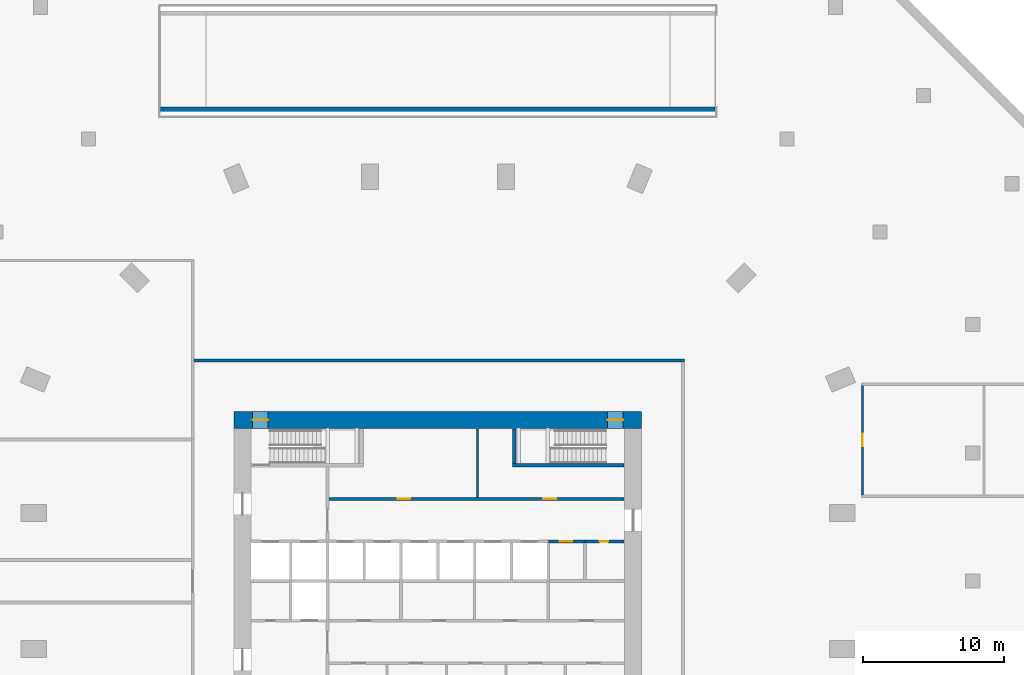
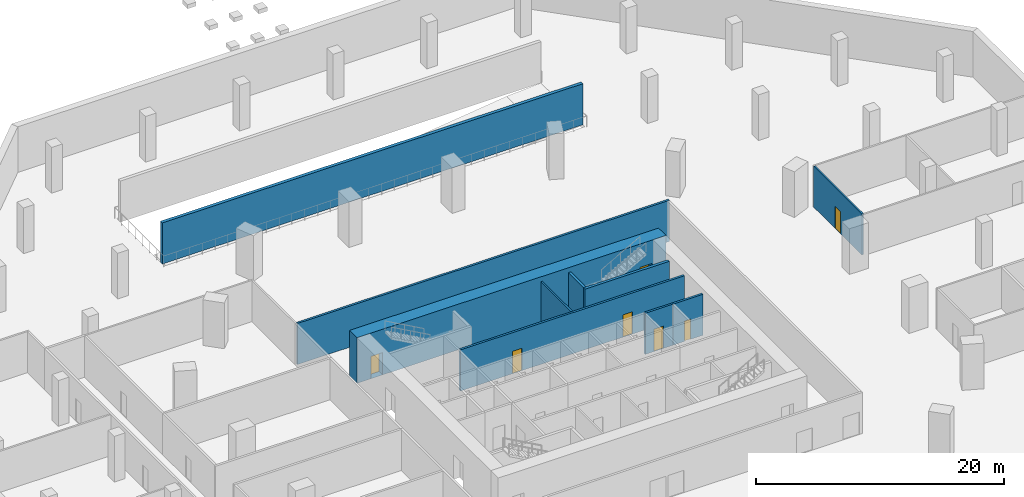
# One storey, part 8 of 11: 10 walls, 7 doors, 7 openings.
"""IFC4 building model written with IfcOpenShell, lengths in metres."""

from ifc_helpers import new_model, si_unit, direction, frame, frame_2d, origin, place, context, subcontext, project, spatial, rectangle, extrude, material, layer, layer_set, type_object, element, fill, save


model = new_model("IFC4")

# Units and contexts
model_context = context("Model", 3, precision=1e-05, world=origin(), true_north=direction((0.0, 1.0)))
body_context = subcontext(model_context, "Body", "Model", "MODEL_VIEW")
ifc_project = project(units=[si_unit("LENGTHUNIT", "METRE"), si_unit("AREAUNIT", "SQUARE_METRE"), si_unit("VOLUMEUNIT", "CUBIC_METRE"), si_unit("PLANEANGLEUNIT", "RADIAN"), si_unit("MASSUNIT", "GRAM", prefix="KILO")], contexts=[model_context])

# Site, building, storey
site_placement = place(None, origin())
site = spatial("IfcSite", under=ifc_project, at=site_placement, CompositionType="ELEMENT")
building_placement = place(site_placement, origin())
building = spatial("IfcBuilding", under=site, at=building_placement, Name="Msitu Wima Residences", CompositionType="ELEMENT")
storey_placement = place(building_placement, frame((0.0, 0.0, -4.5)))
storey = spatial("IfcBuildingStorey", under=building, at=storey_placement, Name="B1", CompositionType="ELEMENT", Elevation=-4.5)

# Wall, openings, doors
ifc_material_1 = material(Name="Concrete C80/95", Category="concrete")
ifc_layer_1 = layer(ifc_material_1, 1.199951171875)
ifc_layer_set_1 = layer_set([ifc_layer_1], Name="Concrete C80/95")
wall_type_1 = type_object("IfcWallType", Name="Core wall CW1200 C80/95", PredefinedType="SHEAR", material=ifc_layer_set_1)
wall_1_placement = place(storey_placement, frame((-14.39990234375, 11.39990234375, 0.0), z_axis=(0.0, 0.0, 1.0), x_axis=(1.0, 0.0, 0.0)))
wall_1 = element("IfcWall", 1, at=wall_1_placement, inside=storey, type_object=wall_type_1, Name="Core wall", PredefinedType="SHEAR", context=body_context, shape_type="SweptSolid", body=[
    extrude(rectangle(XDim=28.7998046875, YDim=1.199951171875, at=frame_2d((14.39990234375, 0.0))), origin(), (0.0, 0.0, 1.0), 4.5),
])
opening_1_placement = place(wall_1_placement, frame((1.300048828125, 0.0, 0.0)))
opening_1 = element("IfcOpeningElement", 2, at=opening_1_placement, cuts=wall_1, Name="Opening DB1.040", PredefinedType="OPENING", context=body_context, shape_type="SweptSolid", body=[
    extrude(rectangle(XDim=1.10009765625, YDim=2.199951171875, at=frame_2d((0.550048828125, 1.10009765625))), frame((0.0, 0.60986328125, 0.0), z_axis=(0.0, -1.0, 0.0), x_axis=(1.0, 0.0, 0.0)), (0.0, 0.0, 1.0), 1.219970703125),
])
opening_2_placement = place(wall_1_placement, frame((26.39990234375, 0.0, 0.0)))
opening_2 = element("IfcOpeningElement", 3, at=opening_2_placement, cuts=wall_1, Name="Opening DB1.042", PredefinedType="OPENING", context=body_context, shape_type="SweptSolid", body=[
    extrude(rectangle(XDim=1.10009765625, YDim=2.199951171875, at=frame_2d((0.550048828125, 1.10009765625))), frame((0.0, 0.60986328125, 0.0), z_axis=(0.0, -1.0, 0.0), x_axis=(1.0, 0.0, 0.0)), (0.0, 0.0, 1.0), 1.219970703125),
])
ifc_material_2 = material(Name="Steel door, fire resisting, panic bar", Category="steel")
door_type_1 = type_object("IfcDoorType", Name="Stair door D06 1100x2200", OperationType="SINGLE_SWING_LEFT", PredefinedType="DOOR", material=ifc_material_2)
door_1_placement = place(opening_1_placement, origin())
door_1 = element("IfcDoor", 4, at=door_1_placement, inside=storey, type_object=door_type_1, Name="Stair door", OperationType="SINGLE_SWING_RIGHT", OverallHeight=2.199951171875, OverallWidth=1.10009765625, PredefinedType="DOOR", context=body_context, shape_type="SweptSolid", body=[
    extrude(rectangle(XDim=1.10009765625, YDim=2.199951171875, at=frame_2d((0.550048828125, 1.10009765625))), frame((0.0, 0.02490234375, 0.0), z_axis=(0.0, -1.0, 0.0), x_axis=(1.0, 0.0, 0.0)), (0.0, 0.0, 1.0), 0.050048828125),
])
fill(opening_1, door_1)
door_2_placement = place(opening_2_placement, origin())
door_2 = element("IfcDoor", 5, at=door_2_placement, inside=storey, type_object=door_type_1, Name="Stair door", OperationType="SINGLE_SWING_LEFT", OverallHeight=2.199951171875, OverallWidth=1.10009765625, PredefinedType="DOOR", context=body_context, shape_type="SweptSolid", body=[
    extrude(rectangle(XDim=1.10009765625, YDim=2.199951171875, at=frame_2d((0.550048828125, 1.10009765625))), frame((0.0, 0.02490234375, 0.0), z_axis=(0.0, -1.0, 0.0), x_axis=(1.0, 0.0, 0.0)), (0.0, 0.0, 1.0), 0.050048828125),
])
fill(opening_2, door_2)

# Wall
ifc_material_3 = material(Name="Plaster")
ifc_layer_2 = layer(ifc_material_3, 0.011962890625, Name="Plaster")
ifc_material_4 = material(Name="Concrete blockwork", Category="masonry")
ifc_layer_3 = layer(ifc_material_4, 0.176025390625, Name="Concrete blockwork")
ifc_layer_4 = layer(ifc_material_3, 0.011962890625, Name="Plaster")
ifc_layer_set_2 = layer_set([ifc_layer_2, ifc_layer_3, ifc_layer_4], Name="Concrete blockwork")
wall_type_2 = type_object("IfcWallType", Name="Corridor wall FW200", PredefinedType="PARTITIONING", material=ifc_layer_set_2)
wall_2_placement = place(storey_placement, frame((-17.22802734375, 15.60009765625, 0.0), z_axis=(0.0, 0.0, 1.0), x_axis=(1.0, 0.0, 0.0)))
element("IfcWall", 6, at=wall_2_placement, inside=storey, type_object=wall_type_2, Name="Corridor wall", PredefinedType="PARTITIONING", context=body_context, shape_type="SweptSolid", body=[
    extrude(rectangle(XDim=34.656005859375, YDim=0.199951171875, at=frame_2d((17.328125, 0.0))), origin(), (0.0, 0.0, 1.0), 4.048095703125),
])

# Wall, openings, doors
wall_3_placement = place(storey_placement, frame((-7.699951171875, 5.800048828125, 0.0), z_axis=(0.0, 0.0, 1.0), x_axis=(1.0, 0.0, 0.0)))
wall_3 = element("IfcWall", 7, at=wall_3_placement, inside=storey, type_object=wall_type_2, Name="Corridor wall", PredefinedType="PARTITIONING", context=body_context, shape_type="SweptSolid", body=[
    extrude(rectangle(XDim=20.869873046875, YDim=0.199951171875, at=frame_2d((10.43505859375, 0.0))), origin(), (0.0, 0.0, 1.0), 4.048095703125),
])
opening_3_placement = place(wall_3_placement, frame((4.85009765625, 0.0, 0.0)))
opening_3 = element("IfcOpeningElement", 8, at=opening_3_placement, cuts=wall_3, Name="Opening DB1.004", PredefinedType="OPENING", context=body_context, shape_type="SweptSolid", body=[
    extrude(rectangle(XDim=0.89990234375, YDim=2.199951171875, at=frame_2d((0.449951171875, 1.10009765625))), frame((0.0, 0.10986328125, 0.0), z_axis=(0.0, -1.0, 0.0), x_axis=(1.0, 0.0, 0.0)), (0.0, 0.0, 1.0), 0.219970703125),
])
opening_4_placement = place(wall_3_placement, frame((15.14990234375, 0.0, 0.0)))
opening_4 = element("IfcOpeningElement", 9, at=opening_4_placement, cuts=wall_3, Name="Opening DB1.005", PredefinedType="OPENING", context=body_context, shape_type="SweptSolid", body=[
    extrude(rectangle(XDim=0.89990234375, YDim=2.199951171875, at=frame_2d((0.449951171875, 1.10009765625))), frame((0.0, 0.10986328125, 0.0), z_axis=(0.0, -1.0, 0.0), x_axis=(1.0, 0.0, 0.0)), (0.0, 0.0, 1.0), 0.219970703125),
])
ifc_material_5 = material(Name="Timber flush door", Category="wood")
door_type_2 = type_object("IfcDoorType", Name="Service door D05 900x2200", OperationType="SINGLE_SWING_LEFT", PredefinedType="DOOR", material=ifc_material_5)
door_3_placement = place(opening_3_placement, origin())
door_3 = element("IfcDoor", 10, at=door_3_placement, inside=storey, type_object=door_type_2, Name="Service door", OperationType="SINGLE_SWING_LEFT", OverallHeight=2.199951171875, OverallWidth=0.89990234375, PredefinedType="DOOR", context=body_context, shape_type="SweptSolid", body=[
    extrude(rectangle(XDim=0.89990234375, YDim=2.199951171875, at=frame_2d((0.449951171875, 1.10009765625))), frame((0.0, 0.02490234375, 0.0), z_axis=(0.0, -1.0, 0.0), x_axis=(1.0, 0.0, 0.0)), (0.0, 0.0, 1.0), 0.050048828125),
])
fill(opening_3, door_3)
door_4_placement = place(opening_4_placement, origin())
door_4 = element("IfcDoor", 11, at=door_4_placement, inside=storey, type_object=door_type_2, Name="Service door", OperationType="SINGLE_SWING_RIGHT", OverallHeight=2.199951171875, OverallWidth=0.89990234375, PredefinedType="DOOR", context=body_context, shape_type="SweptSolid", body=[
    extrude(rectangle(XDim=0.89990234375, YDim=2.199951171875, at=frame_2d((0.449951171875, 1.10009765625))), frame((0.0, 0.02490234375, 0.0), z_axis=(0.0, -1.0, 0.0), x_axis=(1.0, 0.0, 0.0)), (0.0, 0.0, 1.0), 0.050048828125),
])
fill(opening_4, door_4)

# Wall, opening, door
wall_4_placement = place(storey_placement, frame((7.800048828125, 2.800048828125, 0.0), z_axis=(0.0, 0.0, 1.0), x_axis=(1.0, 0.0, 0.0)))
wall_4 = element("IfcWall", 12, at=wall_4_placement, inside=storey, type_object=wall_type_2, Name="Corridor wall", PredefinedType="PARTITIONING", context=body_context, shape_type="SweptSolid", body=[
    extrude(rectangle(XDim=2.579833984375, YDim=0.199951171875, at=frame_2d((1.2900390625, 0.0))), origin(), (0.0, 0.0, 1.0), 4.048095703125),
])
opening_5_placement = place(wall_4_placement, frame((0.800048828125, 0.0, 0.0)))
opening_5 = element("IfcOpeningElement", 13, at=opening_5_placement, cuts=wall_4, Name="Opening DB1.011", PredefinedType="OPENING", context=body_context, shape_type="SweptSolid", body=[
    extrude(rectangle(XDim=0.89990234375, YDim=2.199951171875, at=frame_2d((0.449951171875, 1.10009765625))), frame((0.0, 0.10986328125, 0.0), z_axis=(0.0, -1.0, 0.0), x_axis=(1.0, 0.0, 0.0)), (0.0, 0.0, 1.0), 0.219970703125),
])
door_5_placement = place(opening_5_placement, origin())
door_5 = element("IfcDoor", 14, at=door_5_placement, inside=storey, type_object=door_type_2, Name="Service door", OperationType="SINGLE_SWING_RIGHT", OverallHeight=2.199951171875, OverallWidth=0.89990234375, PredefinedType="DOOR", context=body_context, shape_type="SweptSolid", body=[
    extrude(rectangle(XDim=0.89990234375, YDim=2.199951171875, at=frame_2d((0.449951171875, 1.10009765625))), frame((0.0, 0.02490234375, 0.0), z_axis=(0.0, -1.0, 0.0), x_axis=(1.0, 0.0, 0.0)), (0.0, 0.0, 1.0), 0.050048828125),
])
fill(opening_5, door_5)

# Wall
ifc_layer_5 = layer(ifc_material_3, 0.011962890625, Name="Plaster")
ifc_layer_6 = layer(ifc_material_4, 0.1259765625, Name="Concrete blockwork")
ifc_layer_7 = layer(ifc_material_3, 0.011962890625, Name="Plaster")
ifc_layer_set_3 = layer_set([ifc_layer_5, ifc_layer_6, ifc_layer_7], Name="Concrete blockwork")
wall_type_3 = type_object("IfcWallType", Name="Partition PW150", PredefinedType="PARTITIONING", material=ifc_layer_set_3)
wall_5_placement = place(storey_placement, frame((2.800048828125, 5.89990234375, 0.0), z_axis=(0.0, 0.0, 1.0), x_axis=(0.0, 1.0, 0.0)))
element("IfcWall", 15, at=wall_5_placement, inside=storey, type_object=wall_type_3, Name="Partition", PredefinedType="PARTITIONING", context=body_context, shape_type="SweptSolid", body=[
    extrude(rectangle(XDim=4.8701171875, YDim=0.14990234375, at=frame_2d((2.43505859375, 0.0))), origin(), (0.0, 0.0, 1.0), 4.048095703125),
])

# Wall, opening, door
wall_6_placement = place(storey_placement, frame((30.0, 6.074951171875, 0.0), z_axis=(0.0, 0.0, 1.0), x_axis=(0.0, 1.0, 0.0)))
wall_6 = element("IfcWall", 16, at=wall_6_placement, inside=storey, type_object=wall_type_3, Name="Partition", PredefinedType="PARTITIONING", context=body_context, shape_type="SweptSolid", body=[
    extrude(rectangle(XDim=7.763671875, YDim=0.14990234375, at=frame_2d((3.8818359375, 0.0))), origin(), (0.0, 0.0, 1.0), 4.048095703125),
])
opening_6_placement = place(wall_6_placement, frame((3.449951171875, 0.0, 0.0)))
opening_6 = element("IfcOpeningElement", 17, at=opening_6_placement, cuts=wall_6, Name="Opening DB1.033", PredefinedType="OPENING", context=body_context, shape_type="SweptSolid", body=[
    extrude(rectangle(XDim=0.89990234375, YDim=2.199951171875, at=frame_2d((0.449951171875, 1.10009765625))), frame((0.0, 0.0849609375, 0.0), z_axis=(0.0, -1.0, 0.0), x_axis=(1.0, 0.0, 0.0)), (0.0, 0.0, 1.0), 0.169921875),
])
door_6_placement = place(opening_6_placement, origin())
door_6 = element("IfcDoor", 18, at=door_6_placement, inside=storey, type_object=door_type_2, Name="Service door", OperationType="SINGLE_SWING_RIGHT", OverallHeight=2.199951171875, OverallWidth=0.89990234375, PredefinedType="DOOR", context=body_context, shape_type="SweptSolid", body=[
    extrude(rectangle(XDim=0.89990234375, YDim=2.199951171875, at=frame_2d((0.449951171875, 1.10009765625))), frame((0.0, 0.02490234375, 0.0), z_axis=(0.0, -1.0, 0.0), x_axis=(1.0, 0.0, 0.0)), (0.0, 0.0, 1.0), 0.050048828125),
])
fill(opening_6, door_6)

ifc_layer_8 = layer(ifc_material_3, 0.011962890625, Name="Plaster")
ifc_material_6 = material(Name="Reinforced concrete blockwork", Category="masonry")
ifc_layer_9 = layer(ifc_material_6, 0.176025390625, Name="Reinforced concrete blockwork")
ifc_layer_10 = layer(ifc_material_3, 0.011962890625, Name="Plaster")
ifc_layer_set_4 = layer_set([ifc_layer_8, ifc_layer_9, ifc_layer_10], Name="Reinforced concrete blockwork")
wall_type_4 = type_object("IfcWallType", Name="Plant and riser wall PL200", PredefinedType="PARTITIONING", material=ifc_layer_set_4)
wall_7_placement = place(storey_placement, frame((10.3798828125, 2.800048828125, 0.0), z_axis=(0.0, 0.0, 1.0), x_axis=(1.0, 0.0, 0.0)))
wall_7 = element("IfcWall", 19, at=wall_7_placement, inside=storey, type_object=wall_type_4, Name="Plant and riser wall", PredefinedType="PARTITIONING", context=body_context, shape_type="SweptSolid", body=[
    extrude(rectangle(XDim=2.7900390625, YDim=0.199951171875, at=frame_2d((1.39501953125, 0.0))), origin(), (0.0, 0.0, 1.0), 4.048095703125),
])
opening_7_placement = place(wall_7_placement, frame((1.050048828125, 0.0, 0.0)))
opening_7 = element("IfcOpeningElement", 20, at=opening_7_placement, cuts=wall_7, Name="Opening DB1.012", PredefinedType="OPENING", context=body_context, shape_type="SweptSolid", body=[
    extrude(rectangle(XDim=0.60009765625, YDim=2.0, at=frame_2d((0.300048828125, 1.0))), frame((0.0, 0.10986328125, 0.0), z_axis=(0.0, -1.0, 0.0), x_axis=(1.0, 0.0, 0.0)), (0.0, 0.0, 1.0), 0.219970703125),
])
ifc_material_7 = material(Name="Steel access door, fire resisting", Category="steel")
door_type_3 = type_object("IfcDoorType", Name="Riser access door D08 600x2000", OperationType="SINGLE_SWING_LEFT", PredefinedType="DOOR", material=ifc_material_7)
door_7_placement = place(opening_7_placement, origin())
door_7 = element("IfcDoor", 21, at=door_7_placement, inside=storey, type_object=door_type_3, Name="Riser access door", OperationType="SINGLE_SWING_RIGHT", OverallHeight=2.0, OverallWidth=0.60009765625, PredefinedType="DOOR", context=body_context, shape_type="SweptSolid", body=[
    extrude(rectangle(XDim=0.60009765625, YDim=2.0, at=frame_2d((0.300048828125, 1.0))), frame((0.0, 0.02490234375, 0.0), z_axis=(0.0, -1.0, 0.0), x_axis=(1.0, 0.0, 0.0)), (0.0, 0.0, 1.0), 0.050048828125),
])
fill(opening_7, door_7)

# Walls
ifc_material_8 = material(Name="Concrete C60/75", Category="concrete")
ifc_layer_11 = layer(ifc_material_8, 0.300048828125)
ifc_layer_set_5 = layer_set([ifc_layer_11], Name="Concrete C60/75")
wall_type_5 = type_object("IfcWallType", Name="Ramp tunnel wall RT300", PredefinedType="SOLIDWALL", material=ifc_layer_set_5)
wall_8_placement = place(storey_placement, frame((-19.60009765625, 33.35009765625, 0.0), z_axis=(0.0, 0.0, 1.0), x_axis=(1.0, 0.0, 0.0)))
element("IfcWall", 22, at=wall_8_placement, inside=storey, type_object=wall_type_5, Name="Ramp tunnel wall", PredefinedType="SOLIDWALL", context=body_context, shape_type="SweptSolid", body=[
    extrude(rectangle(XDim=39.2001953125, YDim=0.300048828125, at=frame_2d((19.60009765625, 0.0))), origin(), (0.0, 0.0, 1.0), 4.050048828125),
])
ifc_material_9 = material(Name="Concrete C50/60", Category="concrete")
ifc_layer_12 = layer(ifc_material_9, 0.25)
ifc_layer_set_6 = layer_set([ifc_layer_12], Name="Concrete C50/60")
wall_type_6 = type_object("IfcWallType", Name="Stair enclosure wall SW250", PredefinedType="SHEAR", material=ifc_layer_set_6)
wall_9_placement = place(storey_placement, frame((5.39990234375, 8.324951171875, 0.0), z_axis=(0.0, 0.0, 1.0), x_axis=(0.0, 1.0, 0.0)))
element("IfcWall", 23, at=wall_9_placement, inside=storey, type_object=wall_type_6, Name="Stair enclosure wall", PredefinedType="SHEAR", context=body_context, shape_type="SweptSolid", body=[
    extrude(rectangle(XDim=2.445068359375, YDim=0.25, at=frame_2d((1.22265625, 0.0))), origin(), (0.0, 0.0, 1.0), 4.048095703125),
])
wall_10_placement = place(storey_placement, frame((5.27490234375, 8.199951171875, 0.0), z_axis=(0.0, 0.0, 1.0), x_axis=(1.0, 0.0, 0.0)))
element("IfcWall", 24, at=wall_10_placement, inside=storey, type_object=wall_type_6, Name="Stair enclosure wall", PredefinedType="SHEAR", context=body_context, shape_type="SweptSolid", body=[
    extrude(rectangle(XDim=7.89501953125, YDim=0.25, at=frame_2d((3.947509765625, 0.0))), origin(), (0.0, 0.0, 1.0), 4.048095703125),
])

save(model, "model.ifc")
